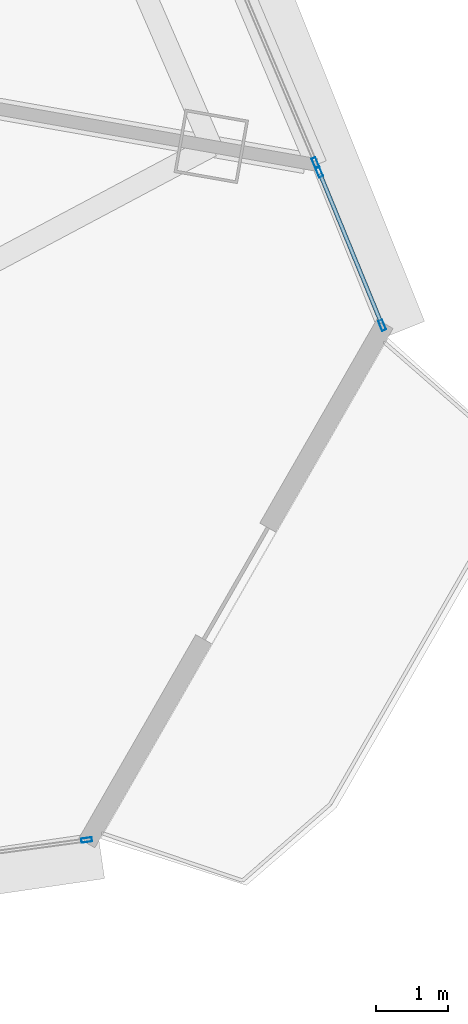
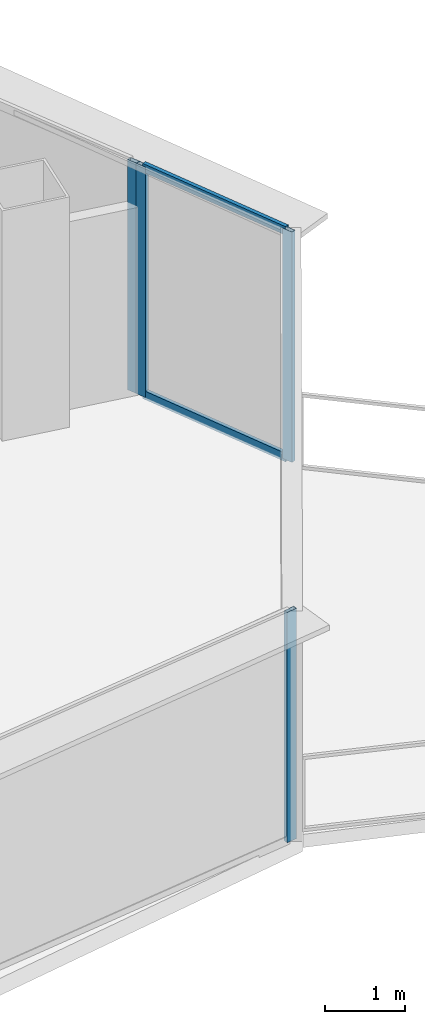
# One storey, part 23 of 36: 6 members, 3 elements without a shape of their own.
"""IFC4 building model written with IfcOpenShell, lengths in metres."""

from ifc_helpers import new_model, si_unit, direction, frame, origin, origin_2d, place, context, subcontext, project, spatial, hollow_rectangle, extrude, source, transform, mapped, material, layer, layer_set, material_profile, profile_set, type_object, element, aggregate, save


model = new_model("IFC4")

# Units and contexts
model_context = context("Model", 3, precision=1e-05, world=origin(), true_north=direction((0.0, 1.0)))
body_context = subcontext(model_context, "Body", "Model", "MODEL_VIEW")
ifc_project = project(units=[si_unit("LENGTHUNIT", "METRE"), si_unit("AREAUNIT", "SQUARE_METRE"), si_unit("VOLUMEUNIT", "CUBIC_METRE"), si_unit("PLANEANGLEUNIT", "RADIAN"), si_unit("MASSUNIT", "GRAM", prefix="KILO"), si_unit("THERMODYNAMICTEMPERATUREUNIT", "KELVIN"), si_unit("POWERUNIT", "WATT")], contexts=[model_context])

# Site, building, storey
site_placement = place(None, origin())
site = spatial("IfcSite", under=ifc_project, at=site_placement, CompositionType="ELEMENT")
building_placement = place(site_placement, origin())
building = spatial("IfcBuilding", under=site, at=building_placement, Name="Yunzhuo Pagoda Commons", CompositionType="ELEMENT")
storey_placement = place(building_placement, frame((0.0, 0.0, 215.159912109375)))
storey = spatial("IfcBuildingStorey", under=building, at=storey_placement, Name="L54", CompositionType="ELEMENT", Elevation=215.159912109375)

# Curtain wall, members
ifc_material = material(Name="Anodized aluminium 6063-T6", Category="aluminium")
ifc_layer = layer(ifc_material, 0.14990234375)
ifc_layer_set = layer_set([ifc_layer], Name="Anodized aluminium 6063-T6")
curtain_wall_type = type_object("IfcCurtainWallType", Name="CW-MID Mid-Zone Ribbon Curtain Wall", PredefinedType="NOTDEFINED", material=ifc_layer_set)
curtain_wall_1_placement = place(storey_placement, origin())
curtain_wall_1 = element("IfcCurtainWall", 1, at=curtain_wall_1_placement, inside=storey, type_object=curtain_wall_type, Name="L54 curtain wall CW-L54-F2B1", PredefinedType="NOTDEFINED")
ifc_material_profile_1 = material_profile(ifc_material, hollow_rectangle(XDim=0.054931640625, YDim=0.1298828125, WallThickness=0.00341796875, at=origin_2d()), Name="Anodized aluminium 6063-T6")
ifc_profile_set_1 = profile_set([ifc_material_profile_1], Name="Anodized aluminium 6063-T6")
member_type_1 = type_object("IfcMemberType", Name="CW-MID-T Transom RHS 130x55x3.5", PredefinedType="USERDEFINED", material=ifc_profile_set_1)
shared_shape_1 = source(origin(), body_context, "Body", "SweptSolid", [
    extrude(hollow_rectangle(XDim=0.054931640625, YDim=0.1298828125, WallThickness=0.00341796875, at=origin_2d()), origin(), (0.0, 0.0, 1.0), 2.259521484375),
])
member_1_placement = place(storey_placement, frame((85.58447265625, 25.01806640625, 0.027587890625), z_axis=(-0.379591927892, 0.925154024084, 0.0), x_axis=(-0.925154024084, -0.379591927892, 0.0)))
member_1 = element("IfcMember", 2, at=member_1_placement, type_object=member_type_1, Name="CW transom 1.1", ObjectType="TRANSOM", PredefinedType="USERDEFINED", context=body_context, shape_type="MappedRepresentation", body=[
    mapped(shared_shape_1, transform((0.0, 0.0, 0.0), scale=1.0)),
])
member_2_placement = place(storey_placement, frame((85.58447265625, 25.01806640625, 3.49267578125), z_axis=(-0.379591927892, 0.925154024084, 0.0), x_axis=(-0.925154024084, -0.379591927892, 0.0)))
member_2 = element("IfcMember", 3, at=member_2_placement, type_object=member_type_1, Name="CW transom 1.2", ObjectType="TRANSOM", PredefinedType="USERDEFINED", context=body_context, shape_type="MappedRepresentation", body=[
    mapped(shared_shape_1, transform((0.0, 0.0, 0.0), scale=1.0)),
])

# Curtain wall, member
curtain_wall_2_placement = place(storey_placement, origin())
curtain_wall_2 = element("IfcCurtainWall", 4, at=curtain_wall_2_placement, inside=storey, type_object=curtain_wall_type, Name="L54 curtain wall CW-L54-F1B5", PredefinedType="NOTDEFINED")
ifc_material_profile_2 = material_profile(ifc_material, hollow_rectangle(XDim=0.06005859375, YDim=0.14990234375, WallThickness=0.00390625, at=origin_2d()), Name="Anodized aluminium 6063-T6")
ifc_profile_set_2 = profile_set([ifc_material_profile_2], Name="Anodized aluminium 6063-T6")
member_type_2 = type_object("IfcMemberType", Name="CW-MID-M Mullion RHS 150x60x4", PredefinedType="MULLION", material=ifc_profile_set_2)
shared_shape_2 = source(origin(), body_context, "Body", "SweptSolid", [
    extrude(hollow_rectangle(XDim=0.06005859375, YDim=0.14990234375, WallThickness=0.00390625, at=origin_2d()), origin(), (0.0, 0.0, 1.0), 3.52001953125),
])
member_3_placement = place(storey_placement, frame((81.46337890625, 17.793212890625, 0.0), z_axis=(0.0, 0.0, 1.0), x_axis=(-0.134839446061, 0.990867460252, 0.0)))
member_3 = element("IfcMember", 5, at=member_3_placement, type_object=member_type_2, Name="CW mullion 2", PredefinedType="MULLION", context=body_context, shape_type="MappedRepresentation", body=[
    mapped(shared_shape_2, transform((0.0, 0.0, 0.0), scale=1.0)),
])
aggregate(curtain_wall_2, [member_3])

curtain_wall_3_placement = place(storey_placement, origin())
curtain_wall_3 = element("IfcCurtainWall", 6, at=curtain_wall_3_placement, inside=storey, type_object=curtain_wall_type, Name="L54 curtain wall CW-L54-F2B2", PredefinedType="NOTDEFINED")
member_4_placement = place(storey_placement, frame((84.66357421875, 27.2607421875, 0.0), z_axis=(0.0, 0.0, 1.0), x_axis=(-0.920979205321, -0.389611734123, 0.0)))
member_4 = element("IfcMember", 7, at=member_4_placement, type_object=member_type_2, Name="CW mullion 1", PredefinedType="MULLION", context=body_context, shape_type="MappedRepresentation", body=[
    mapped(shared_shape_2, transform((0.0, 0.0, 0.0), scale=1.0)),
])
aggregate(curtain_wall_3, [member_4])

# Member
member_5_placement = place(storey_placement, frame((85.595703125, 24.990234375, 0.0), z_axis=(0.0, 0.0, 1.0), x_axis=(-0.925117902297, -0.379679953183, 0.0)))
member_5 = element("IfcMember", 8, at=member_5_placement, type_object=member_type_2, Name="CW mullion 1", PredefinedType="MULLION", context=body_context, shape_type="MappedRepresentation", body=[
    mapped(shared_shape_2, transform((0.0, 0.0, 0.0), scale=1.0)),
])

member_6_placement = place(storey_placement, frame((84.715087890625, 27.135986328125, 0.0), z_axis=(0.0, 0.0, 1.0), x_axis=(-0.925117902297, -0.379679953183, 0.0)))
member_6 = element("IfcMember", 9, at=member_6_placement, type_object=member_type_2, Name="CW mullion 2", PredefinedType="MULLION", context=body_context, shape_type="MappedRepresentation", body=[
    mapped(shared_shape_2, transform((0.0, 0.0, 0.0), scale=1.0)),
])

aggregate(curtain_wall_1, [member_5, member_6, member_1, member_2])

save(model, "model.ifc")
